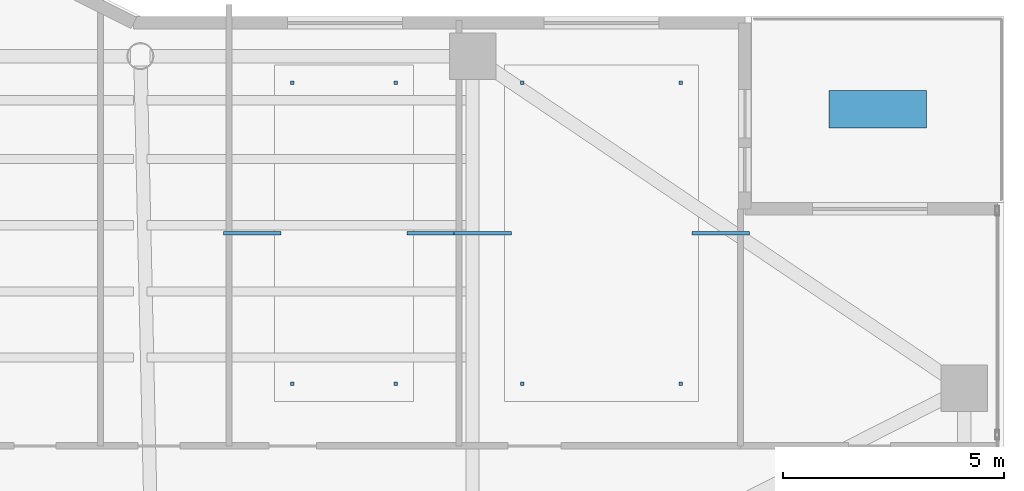
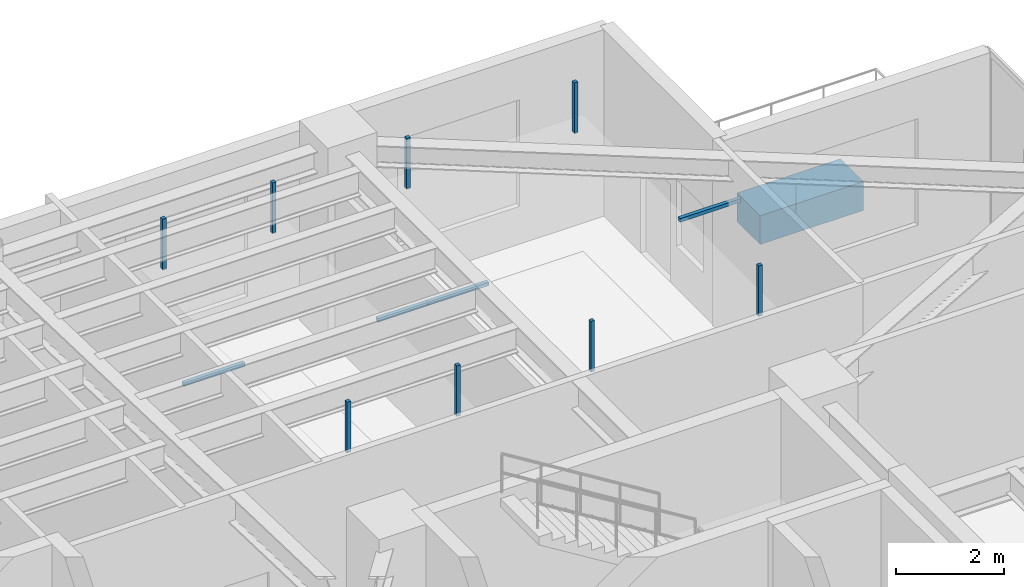
# One storey, part 32 of 37: 13 discrete accessories.
"""IFC4 building model written with IfcOpenShell, lengths in metres."""

from ifc_helpers import new_model, si_unit, direction, frame, origin, origin_2d, place, context, subcontext, project, spatial, rectangle, extrude, material, type_object, element, save


model = new_model("IFC4")

# Units and contexts
model_context = context("Model", 3, precision=1e-05, world=origin(), true_north=direction((0.0, 1.0)))
body_context = subcontext(model_context, "Body", "Model", "MODEL_VIEW")
ifc_project = project(units=[si_unit("LENGTHUNIT", "METRE"), si_unit("AREAUNIT", "SQUARE_METRE"), si_unit("VOLUMEUNIT", "CUBIC_METRE"), si_unit("PLANEANGLEUNIT", "RADIAN"), si_unit("MASSUNIT", "GRAM", prefix="KILO")], contexts=[model_context])

# Site, building, storey
site_placement = place(None, origin())
site = spatial("IfcSite", under=ifc_project, at=site_placement, CompositionType="ELEMENT")
building_placement = place(site_placement, origin())
building = spatial("IfcBuilding", under=site, at=building_placement, Name="Tarnavaz Court Tower", CompositionType="ELEMENT")
storey_placement = place(building_placement, frame((0.0, 0.0, 118.5)))
storey = spatial("IfcBuildingStorey", under=building, at=storey_placement, Name="L32", CompositionType="ELEMENT", Elevation=118.5)

# Discrete accessories
ifc_material_1 = material(Name="Anodised Aluminium 6063-T6", Category="aluminium")
discrete_accessory_type_1 = type_object("IfcDiscreteAccessoryType", Name="DA-BRKT-ALU", PredefinedType="BRACKET", material=ifc_material_1)
for number, where, z_axis, x_axis, name in (
    (1, (10.929931640625, 13.89990234375, 3.08984375), (0.0, 0.0, 1.0), (1.0, 0.0, 0.0), "L32 Ceiling Suspension Hanger Bracket 03-1"),
    (2, (13.26708984375, 13.89990234375, 3.08984375), (0.0, 0.0, 1.0), (1.0, 0.0, 0.0), "L32 Ceiling Suspension Hanger Bracket 03-2"),
    (3, (13.26708984375, 20.699951171875, 3.08984375), (0.0, 0.0, 1.0), (1.0, 0.0, 0.0), "L32 Ceiling Suspension Hanger Bracket 03-3"),
    (4, (10.929931640625, 20.699951171875, 3.08984375), (0.0, 0.0, 1.0), (1.0, 0.0, 0.0), "L32 Ceiling Suspension Hanger Bracket 03-4"),
):
    element("IfcDiscreteAccessory", number, at=place(storey_placement, frame(where, z_axis=z_axis, x_axis=x_axis)), inside=storey, type_object=discrete_accessory_type_1, Name=name, PredefinedType="BRACKET", context=body_context, shape_type="SweptSolid", body=[
        extrude(rectangle(XDim=0.080078125, YDim=0.080078125, at=origin_2d()), origin(), (0.0, 0.0, 1.0), 1.139892578125),
    ])
for number, where, z_axis, x_axis, name in (
    (5, (10.030029296875, 17.300048828125, 3.052490234375), (0.0, 0.0, 1.0), (1.0, 0.0, 0.0), "L32 Ceiling Perimeter Wall-Tie Bracket 03-1"),
    (6, (14.1669921875, 17.300048828125, 3.052490234375), (0.0, 0.0, 1.0), (1.0, 0.0, 0.0), "L32 Ceiling Perimeter Wall-Tie Bracket 03-2"),
):
    element("IfcDiscreteAccessory", number, at=place(storey_placement, frame(where, z_axis=z_axis, x_axis=x_axis)), inside=storey, type_object=discrete_accessory_type_1, Name=name, PredefinedType="BRACKET", context=body_context, shape_type="SweptSolid", body=[
        extrude(rectangle(XDim=1.300048828125, YDim=0.080078125, at=origin_2d()), origin(), (0.0, 0.0, 1.0), 0.080078125),
    ])
for number, where, z_axis, x_axis, name in (
    (7, (16.126953125, 13.89990234375, 3.08984375), (0.0, 0.0, 1.0), (1.0, 0.0, 0.0), "L32 Ceiling Suspension Hanger Bracket 04-1"),
    (8, (19.699951171875, 13.89990234375, 3.08984375), (0.0, 0.0, 1.0), (1.0, 0.0, 0.0), "L32 Ceiling Suspension Hanger Bracket 04-2"),
    (9, (19.699951171875, 20.699951171875, 3.08984375), (0.0, 0.0, 1.0), (1.0, 0.0, 0.0), "L32 Ceiling Suspension Hanger Bracket 04-3"),
    (10, (16.126953125, 20.699951171875, 3.08984375), (0.0, 0.0, 1.0), (1.0, 0.0, 0.0), "L32 Ceiling Suspension Hanger Bracket 04-4"),
):
    element("IfcDiscreteAccessory", number, at=place(storey_placement, frame(where, z_axis=z_axis, x_axis=x_axis)), inside=storey, type_object=discrete_accessory_type_1, Name=name, PredefinedType="BRACKET", context=body_context, shape_type="SweptSolid", body=[
        extrude(rectangle(XDim=0.080078125, YDim=0.080078125, at=origin_2d()), origin(), (0.0, 0.0, 1.0), 1.139892578125),
    ])
for number, where, z_axis, x_axis, name in (
    (11, (15.22705078125, 17.300048828125, 3.052490234375), (0.0, 0.0, 1.0), (1.0, 0.0, 0.0), "L32 Ceiling Perimeter Wall-Tie Bracket 04-1"),
    (12, (20.60009765625, 17.300048828125, 3.052490234375), (0.0, 0.0, 1.0), (1.0, 0.0, 0.0), "L32 Ceiling Perimeter Wall-Tie Bracket 04-2"),
):
    element("IfcDiscreteAccessory", number, at=place(storey_placement, frame(where, z_axis=z_axis, x_axis=x_axis)), inside=storey, type_object=discrete_accessory_type_1, Name=name, PredefinedType="BRACKET", context=body_context, shape_type="SweptSolid", body=[
        extrude(rectangle(XDim=1.300048828125, YDim=0.080078125, at=origin_2d()), origin(), (0.0, 0.0, 1.0), 0.080078125),
    ])
ifc_material_2 = material(Name="Terracotta Architectural Planter Trough", Category="masonry")
discrete_accessory_type_2 = type_object("IfcDiscreteAccessoryType", Name="DA-PLANTER-TC", PredefinedType="USERDEFINED", material=ifc_material_2)
discrete_accessory_placement = place(storey_placement, frame((24.14990234375, 20.10009765625, 0.0), z_axis=(0.0, 0.0, 1.0), x_axis=(1.0, 0.0, 0.0)))
element("IfcDiscreteAccessory", 13, at=discrete_accessory_placement, inside=storey, type_object=discrete_accessory_type_2, Name="L32 Chahar-Bagh Terracotta Landscape Planter 1", ObjectType="PLANTER", PredefinedType="USERDEFINED", context=body_context, shape_type="SweptSolid", body=[
    extrude(rectangle(XDim=2.199951171875, YDim=0.85009765625, at=origin_2d()), origin(), (0.0, 0.0, 1.0), 0.64990234375),
])

save(model, "model.ifc")
